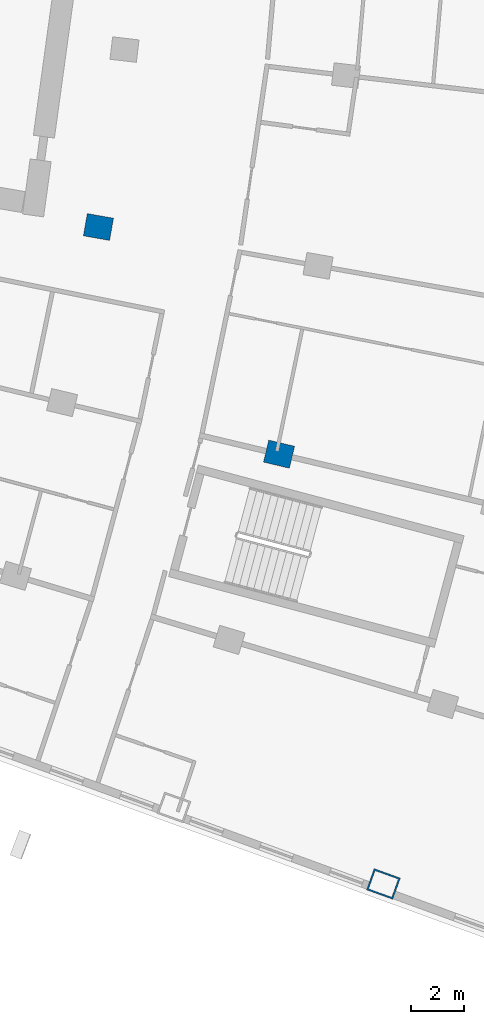
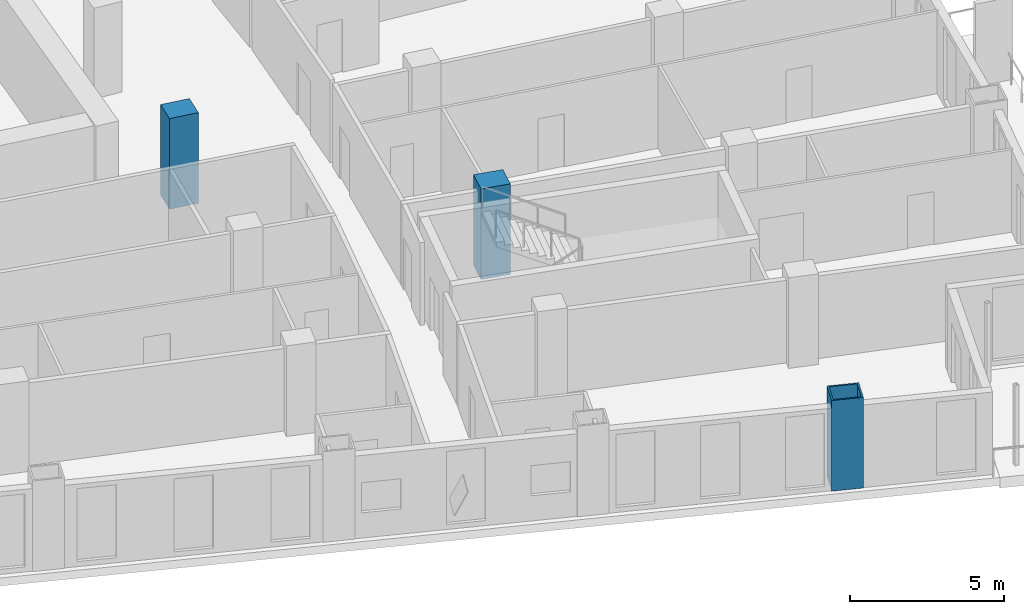
# One storey, part 4 of 25: 3 columns.
"""IFC4 building model written with IfcOpenShell, lengths in metres."""

from ifc_helpers import new_model, si_unit, direction, frame, origin, origin_2d, place, context, subcontext, project, spatial, rectangle, hollow_rectangle, extrude, material, material_profile, profile_set, type_object, element, save


model = new_model("IFC4")

# Units and contexts
model_context = context("Model", 3, precision=1e-05, world=origin(), true_north=direction((0.0, 1.0)))
body_context = subcontext(model_context, "Body", "Model", "MODEL_VIEW")
ifc_project = project(units=[si_unit("LENGTHUNIT", "METRE"), si_unit("AREAUNIT", "SQUARE_METRE"), si_unit("VOLUMEUNIT", "CUBIC_METRE"), si_unit("PLANEANGLEUNIT", "RADIAN"), si_unit("MASSUNIT", "GRAM", prefix="KILO")], contexts=[model_context])

# Site, building, storey
site_placement = place(None, origin())
site = spatial("IfcSite", under=ifc_project, at=site_placement, CompositionType="ELEMENT")
building_placement = place(site_placement, origin())
building = spatial("IfcBuilding", under=site, at=building_placement, Name="Alderwake Tower", CompositionType="ELEMENT")
storey_placement = place(building_placement, frame((0.0, 0.0, 111.199951171875)))
storey = spatial("IfcBuildingStorey", under=building, at=storey_placement, Name="L27", CompositionType="ELEMENT", Elevation=111.199951171875)

# Columns
ifc_material_1 = material(Name="Steel ASTM A572 Grade 50 concrete filled C70/85", Category="concrete")
ifc_material_profile_1 = material_profile(ifc_material_1, hollow_rectangle(XDim=0.85009765625, YDim=1.050048828125, WallThickness=0.06005859375, at=origin_2d()), Name="BOX 1050X850X60")
ifc_profile_set_1 = profile_set([ifc_material_profile_1], Name="Steel ASTM A572 Grade 50 concrete filled C70/85")
column_type_1 = type_object("IfcColumnType", Name="End column Z2", PredefinedType="COLUMN", material=ifc_profile_set_1)
column_placement = place(storey_placement, frame((44.765380859375, 16.095703125, 0.0), z_axis=(0.0, 0.0, 1.0), x_axis=(0.338644316206, 0.940914463223, 0.0)))
element("IfcColumn", 1, at=column_placement, inside=storey, type_object=column_type_1, Name="Column R01-C4", PredefinedType="COLUMN", context=body_context, shape_type="SweptSolid", body=[
    extrude(hollow_rectangle(XDim=0.85009765625, YDim=1.050048828125, WallThickness=0.06005859375, at=origin_2d()), origin(), (0.0, 0.0, 1.0), 3.60009765625),
])
ifc_material_2 = material(Name="Concrete C70/85", Category="concrete")
ifc_material_profile_2 = material_profile(ifc_material_2, rectangle(XDim=0.85009765625, YDim=1.0, at=origin_2d()), Name="RC 1000X850")
ifc_profile_set_2 = profile_set([ifc_material_profile_2], Name="Concrete C70/85")
column_type_2 = type_object("IfcColumnType", Name="Interior column Z2", PredefinedType="COLUMN", material=ifc_profile_set_2)
for number, where, z_axis, x_axis, name in (
    (2, (40.834228515625, 32.2822265625, 0.0), (0.0, 0.0, 1.0), (0.231221547198, 0.972901123502, 0.0), "Column R03-C3"),
    (3, (34.03125, 40.83837890625, 0.0), (0.0, 0.0, 1.0), (0.174108800747, 0.984726421654, 0.0), "Column R04-C2"),
):
    element("IfcColumn", number, at=place(storey_placement, frame(where, z_axis=z_axis, x_axis=x_axis)), inside=storey, type_object=column_type_2, Name=name, PredefinedType="COLUMN", context=body_context, shape_type="SweptSolid", body=[
        extrude(rectangle(XDim=0.85009765625, YDim=1.0, at=origin_2d()), origin(), (0.0, 0.0, 1.0), 3.60009765625),
    ])

save(model, "model.ifc")
